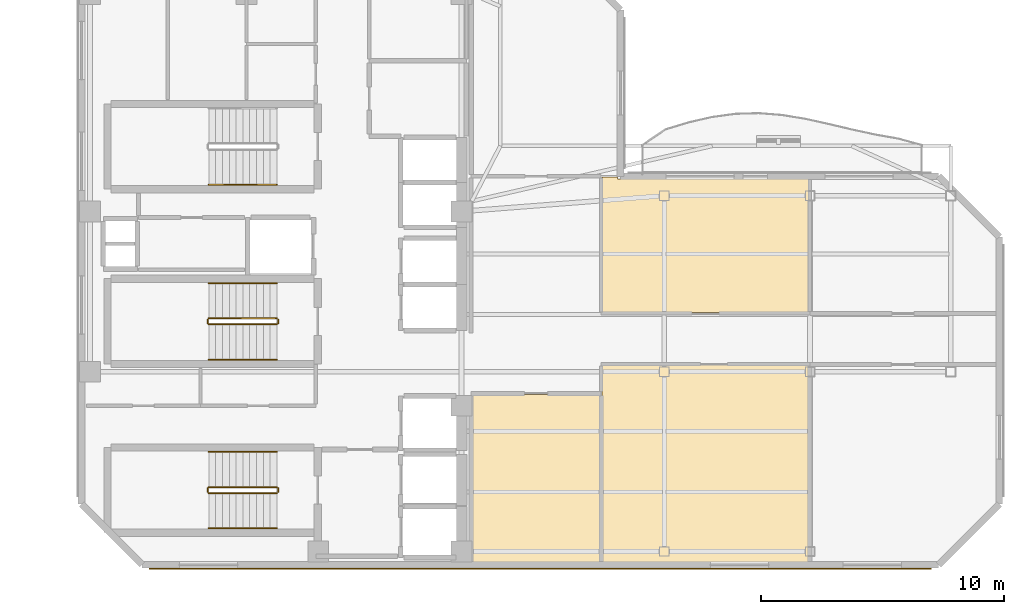
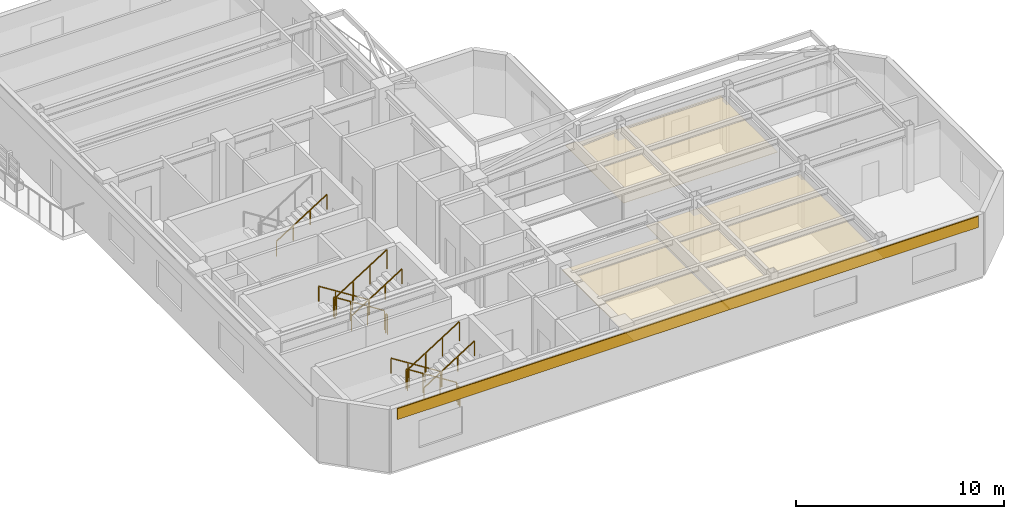
# One storey, part 6 of 8: 13 railings, 4 coverings.
"""IFC4 building model written with IfcOpenShell, lengths in metres."""

from ifc_helpers import new_model, si_unit, direction, frame, origin, origin_2d, place, context, subcontext, project, spatial, polyline, rectangle, outline, extrude, material, layer, layer_set, type_object, element, save


model = new_model("IFC4")

# Units and contexts
model_context = context("Model", 3, precision=1e-05, world=origin(), true_north=direction((0.0, 1.0)))
body_context = subcontext(model_context, "Body", "Model", "MODEL_VIEW")
ifc_project = project(units=[si_unit("LENGTHUNIT", "METRE"), si_unit("AREAUNIT", "SQUARE_METRE"), si_unit("VOLUMEUNIT", "CUBIC_METRE"), si_unit("PLANEANGLEUNIT", "RADIAN"), si_unit("MASSUNIT", "GRAM", prefix="KILO")], contexts=[model_context])

# Site, building, storey
site_placement = place(None, origin())
site = spatial("IfcSite", under=ifc_project, at=site_placement, CompositionType="ELEMENT")
building_placement = place(site_placement, origin())
building = spatial("IfcBuilding", under=site, at=building_placement, Name="Mawjaban Terraces University", CompositionType="ELEMENT")
storey_placement = place(building_placement, frame((0.0, 0.0, 263.800048828125)))
storey = spatial("IfcBuildingStorey", under=building, at=storey_placement, Name="L64", CompositionType="ELEMENT", Elevation=263.800048828125)

# Coverings
ifc_material_1 = material(Name="Acoustic mineral fibre ceiling tile", Category="masonry")
ifc_layer_1 = layer(ifc_material_1, 0.02001953125)
ifc_layer_set_1 = layer_set([ifc_layer_1], Name="Acoustic mineral fibre ceiling tile")
covering_type_1 = type_object("IfcCoveringType", Name="AcousticMineralCeiling_20", PredefinedType="CEILING", material=ifc_layer_set_1)
covering_1_placement = place(storey_placement, frame((0.0, 0.0, 2.75)))
element("IfcCovering", 1, at=covering_1_placement, inside=storey, type_object=covering_type_1, Name="L64 Design Studio 1 Acoustic Ceiling", PredefinedType="CEILING", context=body_context, shape_type="SweptSolid", body=[
    extrude(outline(polyline([(38.080078125, 7.02001953125), (38.080078125, 0.114990234375), (43.3701171875, 0.114990234375), (43.3701171875, 7.02001953125), (38.080078125, 7.02001953125)])), origin(), (0.0, 0.0, 1.0), 0.02001953125),
])
covering_2_placement = place(storey_placement, frame((0.0, 0.0, 2.75)))
element("IfcCovering", 2, at=covering_2_placement, inside=storey, type_object=covering_type_1, Name="L64 Computational Laboratory 2 Acoustic Ceiling", PredefinedType="CEILING", context=body_context, shape_type="SweptSolid", body=[
    extrude(outline(polyline([(43.429931640625, 0.114990234375), (51.969970703125, 0.114990234375), (51.969970703125, 8.219970703125), (43.429931640625, 8.219970703125), (43.429931640625, 0.114990234375)])), origin(), (0.0, 0.0, 1.0), 0.02001953125),
])
covering_3_placement = place(storey_placement, frame((0.0, 0.0, 2.75)))
element("IfcCovering", 3, at=covering_3_placement, inside=storey, type_object=covering_type_1, Name="L64 Teaching Laboratory 3 Acoustic Ceiling", PredefinedType="CEILING", context=body_context, shape_type="SweptSolid", body=[
    extrude(outline(polyline([(51.969970703125, 15.885009765625), (44.0849609375, 15.885009765625), (44.0849609375, 15.969970703125), (43.429931640625, 15.969970703125), (43.429931640625, 10.3798828125), (51.969970703125, 10.3798828125), (51.969970703125, 15.885009765625)])), origin(), (0.0, 0.0, 1.0), 0.02001953125),
])

# Railings
ifc_material_2 = material(Name="Brushed stainless steel 316", Category="steel")
railing_type_1 = type_object("IfcRailingType", Name="StairWallHandrail_900", PredefinedType="HANDRAIL", material=ifc_material_2)
railing_1_placement = place(storey_placement, frame((30.050048828125, 4.64990234375, 0.17724609375)))
element("IfcRailing", 4, at=railing_1_placement, inside=storey, type_object=railing_type_1, Name="L64 ST-1 stair handrail 1", PredefinedType="HANDRAIL", context=body_context, shape_type="SweptSolid", body=[
    extrude(rectangle(XDim=0.048095703125, YDim=0.048095703125, at=origin_2d()), frame((0.0, 0.0, 0.8759765625), z_axis=(-0.844908973607, 0.0, 0.534910110503), x_axis=(0.0, -1.0, 0.0)), (0.0, 0.0, 1.0), 3.31396484375),
    extrude(rectangle(XDim=0.0419921875, YDim=0.0419921875, at=origin_2d()), origin(), (0.0, 0.0, 1.0), 0.851806640625),
    extrude(rectangle(XDim=0.0419921875, YDim=0.0419921875, at=origin_2d()), frame((-0.933349609375, 0.0, 0.5908203125)), (0.0, 0.0, 1.0), 0.851806640625),
    extrude(rectangle(XDim=0.0419921875, YDim=0.0419921875, at=origin_2d()), frame((-1.86669921875, 0.0, 1.181884765625)), (0.0, 0.0, 1.0), 0.851806640625),
    extrude(rectangle(XDim=0.0419921875, YDim=0.0419921875, at=origin_2d()), frame((-2.800048828125, 0.0, 1.772705078125)), (0.0, 0.0, 1.0), 0.851806640625),
])
for number, where, name in (
    (5, (27.25, 1.5, 2.127197265625), "L64 ST-1 stair handrail 2"),
    (6, (27.25, 15.64990234375, 2.127197265625), "L64 ST-2 stair handrail 2"),
):
    element("IfcRailing", number, at=place(storey_placement, frame(where)), inside=storey, type_object=railing_type_1, Name=name, PredefinedType="HANDRAIL", context=body_context, shape_type="SweptSolid", body=[
        extrude(rectangle(XDim=0.048095703125, YDim=0.048095703125, at=origin_2d()), frame((0.0, 0.0, 0.8759765625), z_axis=(0.844908973607, 0.0, 0.534910110503), x_axis=(0.0, 1.0, 0.0)), (0.0, 0.0, 1.0), 3.31396484375),
        extrude(rectangle(XDim=0.0419921875, YDim=0.0419921875, at=origin_2d()), origin(), (0.0, 0.0, 1.0), 0.851806640625),
        extrude(rectangle(XDim=0.0419921875, YDim=0.0419921875, at=origin_2d()), frame((0.933349609375, 0.0, 0.5908203125)), (0.0, 0.0, 1.0), 0.851806640625),
        extrude(rectangle(XDim=0.0419921875, YDim=0.0419921875, at=origin_2d()), frame((1.86669921875, 0.0, 1.181884765625)), (0.0, 0.0, 1.0), 0.851806640625),
        extrude(rectangle(XDim=0.0419921875, YDim=0.0419921875, at=origin_2d()), frame((2.800048828125, 0.0, 1.772705078125)), (0.0, 0.0, 1.0), 0.851806640625),
    ])
railing_2_placement = place(storey_placement, frame((30.050048828125, 11.60009765625, 0.17724609375)))
element("IfcRailing", 7, at=railing_2_placement, inside=storey, type_object=railing_type_1, Name="L64 ST-3 stair handrail 1", PredefinedType="HANDRAIL", context=body_context, shape_type="SweptSolid", body=[
    extrude(rectangle(XDim=0.048095703125, YDim=0.048095703125, at=origin_2d()), frame((0.0, 0.0, 0.8759765625), z_axis=(-0.844908973607, 0.0, 0.534910110503), x_axis=(0.0, -1.0, 0.0)), (0.0, 0.0, 1.0), 3.31396484375),
    extrude(rectangle(XDim=0.0419921875, YDim=0.0419921875, at=origin_2d()), origin(), (0.0, 0.0, 1.0), 0.851806640625),
    extrude(rectangle(XDim=0.0419921875, YDim=0.0419921875, at=origin_2d()), frame((-0.933349609375, 0.0, 0.5908203125)), (0.0, 0.0, 1.0), 0.851806640625),
    extrude(rectangle(XDim=0.0419921875, YDim=0.0419921875, at=origin_2d()), frame((-1.86669921875, 0.0, 1.181884765625)), (0.0, 0.0, 1.0), 0.851806640625),
    extrude(rectangle(XDim=0.0419921875, YDim=0.0419921875, at=origin_2d()), frame((-2.800048828125, 0.0, 1.772705078125)), (0.0, 0.0, 1.0), 0.851806640625),
])
railing_3_placement = place(storey_placement, frame((27.25, 8.449951171875, 2.127197265625)))
element("IfcRailing", 8, at=railing_3_placement, inside=storey, type_object=railing_type_1, Name="L64 ST-3 stair handrail 2", PredefinedType="HANDRAIL", context=body_context, shape_type="SweptSolid", body=[
    extrude(rectangle(XDim=0.048095703125, YDim=0.048095703125, at=origin_2d()), frame((0.0, 0.0, 0.8759765625), z_axis=(0.844908973607, 0.0, 0.534910110503), x_axis=(0.0, 1.0, 0.0)), (0.0, 0.0, 1.0), 3.31396484375),
    extrude(rectangle(XDim=0.0419921875, YDim=0.0419921875, at=origin_2d()), origin(), (0.0, 0.0, 1.0), 0.851806640625),
    extrude(rectangle(XDim=0.0419921875, YDim=0.0419921875, at=origin_2d()), frame((0.933349609375, 0.0, 0.5908203125)), (0.0, 0.0, 1.0), 0.851806640625),
    extrude(rectangle(XDim=0.0419921875, YDim=0.0419921875, at=origin_2d()), frame((1.86669921875, 0.0, 1.181884765625)), (0.0, 0.0, 1.0), 0.851806640625),
    extrude(rectangle(XDim=0.0419921875, YDim=0.0419921875, at=origin_2d()), frame((2.800048828125, 0.0, 1.772705078125)), (0.0, 0.0, 1.0), 0.851806640625),
])
ifc_material_3 = material(Name="Galvanised painted steel S355", Category="steel")
railing_type_2 = type_object("IfcRailingType", Name="StairWellGuard_1150", PredefinedType="BALUSTRADE", material=ifc_material_3)
railing_4_placement = place(storey_placement, frame((30.050048828125, 3.199951171875, 0.17724609375)))
element("IfcRailing", 9, at=railing_4_placement, inside=storey, type_object=railing_type_2, Name="L64 ST-1 stair guard 1", PredefinedType="BALUSTRADE", context=body_context, shape_type="SweptSolid", body=[
    extrude(rectangle(XDim=0.048095703125, YDim=0.048095703125, at=origin_2d()), frame((0.0, 0.0, 1.1259765625), z_axis=(-0.844908973607, 0.0, 0.534910110503), x_axis=(0.0, -1.0, 0.0)), (0.0, 0.0, 1.0), 3.31396484375),
    extrude(rectangle(XDim=0.0419921875, YDim=0.0419921875, at=origin_2d()), origin(), (0.0, 0.0, 1.0), 1.101806640625),
    extrude(rectangle(XDim=0.0419921875, YDim=0.0419921875, at=origin_2d()), frame((-0.933349609375, 0.0, 0.5908203125)), (0.0, 0.0, 1.0), 1.101806640625),
    extrude(rectangle(XDim=0.0419921875, YDim=0.0419921875, at=origin_2d()), frame((-1.86669921875, 0.0, 1.181884765625)), (0.0, 0.0, 1.0), 1.101806640625),
    extrude(rectangle(XDim=0.0419921875, YDim=0.0419921875, at=origin_2d()), frame((-2.800048828125, 0.0, 1.772705078125)), (0.0, 0.0, 1.0), 1.101806640625),
])
railing_5_placement = place(storey_placement, frame((27.199951171875, 3.14990234375, 1.949951171875)))
element("IfcRailing", 10, at=railing_5_placement, inside=storey, type_object=railing_type_2, Name="L64 ST-1 stair guard 2", PredefinedType="BALUSTRADE", context=body_context, shape_type="SweptSolid", body=[
    extrude(rectangle(XDim=0.048095703125, YDim=0.048095703125, at=origin_2d()), frame((0.0, 0.0, 1.1259765625), z_axis=(0.0, -1.0, 0.0), x_axis=(1.0, 0.0, 0.0)), (0.0, 0.0, 1.0), 0.14990234375),
    extrude(rectangle(XDim=0.0419921875, YDim=0.0419921875, at=origin_2d()), origin(), (0.0, 0.0, 1.0), 1.101806640625),
    extrude(rectangle(XDim=0.0419921875, YDim=0.0419921875, at=origin_2d()), frame((0.0, -0.14990234375, 0.0)), (0.0, 0.0, 1.0), 1.101806640625),
])
railing_6_placement = place(storey_placement, frame((27.25, 2.949951171875, 2.127197265625)))
element("IfcRailing", 11, at=railing_6_placement, inside=storey, type_object=railing_type_2, Name="L64 ST-1 stair guard 3", PredefinedType="BALUSTRADE", context=body_context, shape_type="SweptSolid", body=[
    extrude(rectangle(XDim=0.048095703125, YDim=0.048095703125, at=origin_2d()), frame((0.0, 0.0, 1.1259765625), z_axis=(0.844908973607, 0.0, 0.534910110503), x_axis=(0.0, 1.0, 0.0)), (0.0, 0.0, 1.0), 3.31396484375),
    extrude(rectangle(XDim=0.0419921875, YDim=0.0419921875, at=origin_2d()), origin(), (0.0, 0.0, 1.0), 1.101806640625),
    extrude(rectangle(XDim=0.0419921875, YDim=0.0419921875, at=origin_2d()), frame((0.933349609375, 0.0, 0.5908203125)), (0.0, 0.0, 1.0), 1.101806640625),
    extrude(rectangle(XDim=0.0419921875, YDim=0.0419921875, at=origin_2d()), frame((1.86669921875, 0.0, 1.181884765625)), (0.0, 0.0, 1.0), 1.101806640625),
    extrude(rectangle(XDim=0.0419921875, YDim=0.0419921875, at=origin_2d()), frame((2.800048828125, 0.0, 1.772705078125)), (0.0, 0.0, 1.0), 1.101806640625),
])
railing_7_placement = place(storey_placement, frame((30.10009765625, 3.14990234375, 0.0)))
element("IfcRailing", 12, at=railing_7_placement, inside=storey, type_object=railing_type_2, Name="L64 ST-1 stair guard 4", PredefinedType="BALUSTRADE", context=body_context, shape_type="SweptSolid", body=[
    extrude(rectangle(XDim=0.048095703125, YDim=0.048095703125, at=origin_2d()), frame((0.0, 0.0, 1.1259765625), z_axis=(0.0, -1.0, 0.0), x_axis=(1.0, 0.0, 0.0)), (0.0, 0.0, 1.0), 0.14990234375),
    extrude(rectangle(XDim=0.0419921875, YDim=0.0419921875, at=origin_2d()), origin(), (0.0, 0.0, 1.0), 1.101806640625),
    extrude(rectangle(XDim=0.0419921875, YDim=0.0419921875, at=origin_2d()), frame((0.0, -0.14990234375, 0.0)), (0.0, 0.0, 1.0), 1.101806640625),
])
railing_8_placement = place(storey_placement, frame((30.050048828125, 10.14990234375, 0.17724609375)))
element("IfcRailing", 13, at=railing_8_placement, inside=storey, type_object=railing_type_2, Name="L64 ST-3 stair guard 1", PredefinedType="BALUSTRADE", context=body_context, shape_type="SweptSolid", body=[
    extrude(rectangle(XDim=0.048095703125, YDim=0.048095703125, at=origin_2d()), frame((0.0, 0.0, 1.1259765625), z_axis=(-0.844908973607, 0.0, 0.534910110503), x_axis=(0.0, -1.0, 0.0)), (0.0, 0.0, 1.0), 3.31396484375),
    extrude(rectangle(XDim=0.0419921875, YDim=0.0419921875, at=origin_2d()), origin(), (0.0, 0.0, 1.0), 1.101806640625),
    extrude(rectangle(XDim=0.0419921875, YDim=0.0419921875, at=origin_2d()), frame((-0.933349609375, 0.0, 0.5908203125)), (0.0, 0.0, 1.0), 1.101806640625),
    extrude(rectangle(XDim=0.0419921875, YDim=0.0419921875, at=origin_2d()), frame((-1.86669921875, 0.0, 1.181884765625)), (0.0, 0.0, 1.0), 1.101806640625),
    extrude(rectangle(XDim=0.0419921875, YDim=0.0419921875, at=origin_2d()), frame((-2.800048828125, 0.0, 1.772705078125)), (0.0, 0.0, 1.0), 1.101806640625),
])
railing_9_placement = place(storey_placement, frame((27.199951171875, 10.10009765625, 1.949951171875)))
element("IfcRailing", 14, at=railing_9_placement, inside=storey, type_object=railing_type_2, Name="L64 ST-3 stair guard 2", PredefinedType="BALUSTRADE", context=body_context, shape_type="SweptSolid", body=[
    extrude(rectangle(XDim=0.048095703125, YDim=0.048095703125, at=origin_2d()), frame((0.0, 0.0, 1.1259765625), z_axis=(0.0, -1.0, 0.0), x_axis=(1.0, 0.0, 0.0)), (0.0, 0.0, 1.0), 0.150146484375),
    extrude(rectangle(XDim=0.0419921875, YDim=0.0419921875, at=origin_2d()), origin(), (0.0, 0.0, 1.0), 1.101806640625),
    extrude(rectangle(XDim=0.0419921875, YDim=0.0419921875, at=origin_2d()), frame((0.0, -0.150146484375, 0.0)), (0.0, 0.0, 1.0), 1.101806640625),
])
railing_10_placement = place(storey_placement, frame((27.25, 9.89990234375, 2.127197265625)))
element("IfcRailing", 15, at=railing_10_placement, inside=storey, type_object=railing_type_2, Name="L64 ST-3 stair guard 3", PredefinedType="BALUSTRADE", context=body_context, shape_type="SweptSolid", body=[
    extrude(rectangle(XDim=0.048095703125, YDim=0.048095703125, at=origin_2d()), frame((0.0, 0.0, 1.1259765625), z_axis=(0.844908973607, 0.0, 0.534910110503), x_axis=(0.0, 1.0, 0.0)), (0.0, 0.0, 1.0), 3.31396484375),
    extrude(rectangle(XDim=0.0419921875, YDim=0.0419921875, at=origin_2d()), origin(), (0.0, 0.0, 1.0), 1.101806640625),
    extrude(rectangle(XDim=0.0419921875, YDim=0.0419921875, at=origin_2d()), frame((0.933349609375, 0.0, 0.5908203125)), (0.0, 0.0, 1.0), 1.101806640625),
    extrude(rectangle(XDim=0.0419921875, YDim=0.0419921875, at=origin_2d()), frame((1.86669921875, 0.0, 1.181884765625)), (0.0, 0.0, 1.0), 1.101806640625),
    extrude(rectangle(XDim=0.0419921875, YDim=0.0419921875, at=origin_2d()), frame((2.800048828125, 0.0, 1.772705078125)), (0.0, 0.0, 1.0), 1.101806640625),
])
railing_11_placement = place(storey_placement, frame((30.10009765625, 10.10009765625, 0.0)))
element("IfcRailing", 16, at=railing_11_placement, inside=storey, type_object=railing_type_2, Name="L64 ST-3 stair guard 4", PredefinedType="BALUSTRADE", context=body_context, shape_type="SweptSolid", body=[
    extrude(rectangle(XDim=0.048095703125, YDim=0.048095703125, at=origin_2d()), frame((0.0, 0.0, 1.1259765625), z_axis=(0.0, -1.0, 0.0), x_axis=(1.0, 0.0, 0.0)), (0.0, 0.0, 1.0), 0.150146484375),
    extrude(rectangle(XDim=0.0419921875, YDim=0.0419921875, at=origin_2d()), origin(), (0.0, 0.0, 1.0), 1.101806640625),
    extrude(rectangle(XDim=0.0419921875, YDim=0.0419921875, at=origin_2d()), frame((0.0, -0.150146484375, 0.0)), (0.0, 0.0, 1.0), 1.101806640625),
])

# Covering
ifc_material_4 = material(Name="Glazed architectural terracotta rainscreen", Category="masonry")
ifc_layer_2 = layer(ifc_material_4, 0.06005859375)
ifc_layer_set_2 = layer_set([ifc_layer_2], Name="Glazed architectural terracotta rainscreen")
covering_type_2 = type_object("IfcCoveringType", Name="TerracottaSpandrelCladding_60", PredefinedType="CLADDING", material=ifc_layer_set_2)
covering_4_placement = place(storey_placement, frame((40.89990234375, -0.1630859375, 3.014892578125), z_axis=(0.0, 0.0, 1.0), x_axis=(1.0, 0.0, 0.0)))
element("IfcCovering", 17, at=covering_4_placement, inside=storey, type_object=covering_type_2, Name="L64 Terracotta Spandrel Cladding 1", PredefinedType="CLADDING", context=body_context, shape_type="SweptSolid", body=[
    extrude(rectangle(XDim=32.199951171875, YDim=0.06005859375, at=origin_2d()), origin(), (0.0, 0.0, 1.0), 0.64990234375),
])

save(model, "model.ifc")
